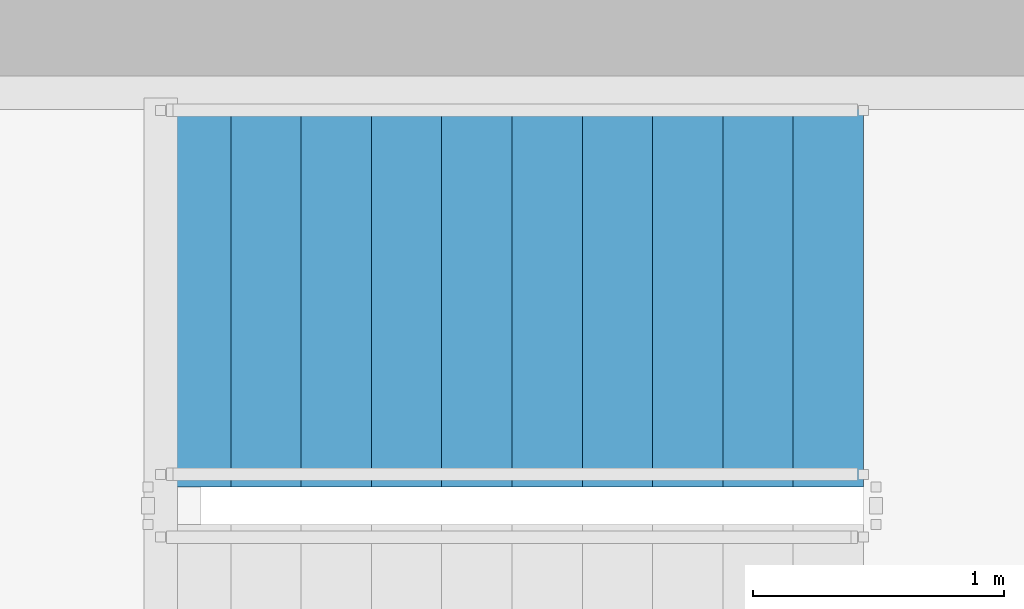
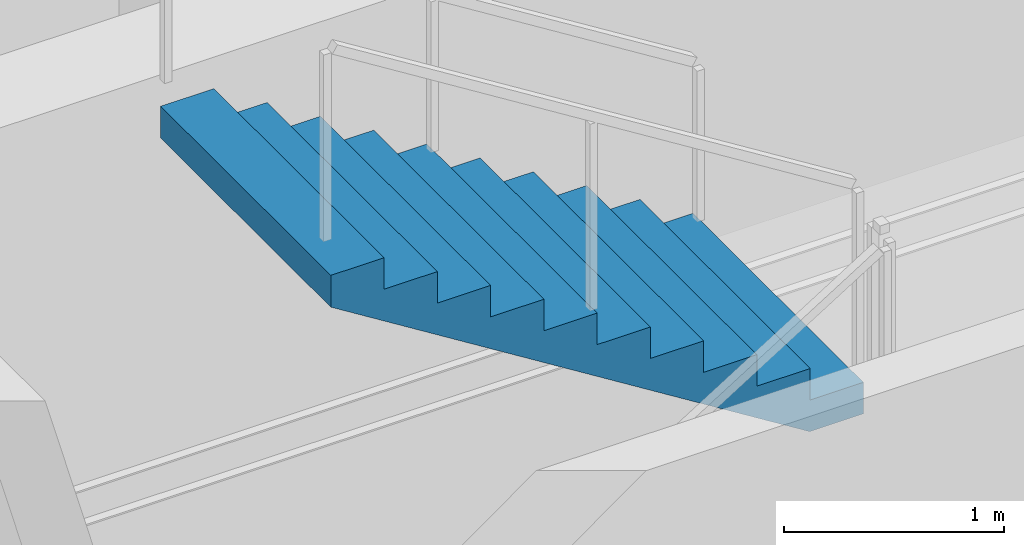
# One storey, part 24 of 31: 1 stair flight, 1 element without a shape of its own.
"""IFC4 building model written with IfcOpenShell, lengths in metres."""

from ifc_helpers import new_model, si_unit, direction, frame, origin, place, context, subcontext, project, spatial, polyline, outline, extrude, material, type_object, element, aggregate, save


model = new_model("IFC4")

# Units and contexts
model_context = context("Model", 3, precision=1e-05, world=origin(), true_north=direction((0.0, 1.0)))
body_context = subcontext(model_context, "Body", "Model", "MODEL_VIEW")
ifc_project = project(units=[si_unit("LENGTHUNIT", "METRE"), si_unit("AREAUNIT", "SQUARE_METRE"), si_unit("VOLUMEUNIT", "CUBIC_METRE"), si_unit("PLANEANGLEUNIT", "RADIAN"), si_unit("MASSUNIT", "GRAM", prefix="KILO")], contexts=[model_context])

# Site, building, storey
site_placement = place(None, origin())
site = spatial("IfcSite", under=ifc_project, at=site_placement, CompositionType="ELEMENT")
building_placement = place(site_placement, origin())
building = spatial("IfcBuilding", under=site, at=building_placement, Name="Kazma Halo Residences", CompositionType="ELEMENT")
storey_placement = place(building_placement, frame((0.0, 0.0, 275.199951171875)))
storey = spatial("IfcBuildingStorey", under=building, at=storey_placement, Name="L69", CompositionType="ELEMENT", Elevation=275.199951171875)

# Stair, stair flight
ifc_material = material(Name="Concrete C50/60", Category="concrete")
stair_type = type_object("IfcStairType", Name="STR-RES2", PredefinedType="HALF_TURN_STAIR", material=ifc_material)
stair_placement = place(storey_placement, origin())
stair = element("IfcStair", 1, at=stair_placement, inside=storey, type_object=stair_type, Name="L69 Core exit stair ST-02", PredefinedType="HALF_TURN_STAIR")
stair_flight_type = type_object("IfcStairFlightType", Name="STR-RES2-FLT", PredefinedType="STRAIGHT", material=ifc_material)
stair_flight_placement = place(storey_placement, frame((56.0, 49.22509765625, 1.925048828125), z_axis=(0.0, 0.0, 1.0), x_axis=(-1.0, 0.0, 0.0)))
stair_flight = element("IfcStairFlight", 2, at=stair_flight_placement, type_object=stair_flight_type, Name="ST-02 flight 2", NumberOfRisers=11, NumberOfTreads=10, PredefinedType="STRAIGHT", RiserHeight=0.175, TreadLength=0.28, context=body_context, shape_type="SweptSolid", body=[
    extrude(outline(polyline([(0.0, 0.0), (0.0, 0.175048828125), (0.280029296875, 0.175048828125), (0.280029296875, 0.35009765625), (0.56005859375, 0.35009765625), (0.56005859375, 0.52490234375), (0.840087890625, 0.52490234375), (0.840087890625, 0.699951171875), (1.1201171875, 0.699951171875), (1.1201171875, 0.875), (1.39990234375, 0.875), (1.39990234375, 1.050048828125), (1.679931640625, 1.050048828125), (1.679931640625, 1.22509765625), (1.9599609375, 1.22509765625), (1.9599609375, 1.39990234375), (2.239990234375, 1.39990234375), (2.239990234375, 1.574951171875), (2.52001953125, 1.574951171875), (2.52001953125, 1.75), (2.800048828125, 1.75), (2.800048828125, 1.925048828125), (2.800048828125, 1.5732421875), (0.28271484375, 0.0), (0.0, 0.0)])), frame((0.0, 0.77490234375, 0.0), z_axis=(0.0, -1.0, 0.0), x_axis=(1.0, 0.0, 0.0)), (0.0, 0.0, 1.0), 1.550048828125),
])
aggregate(stair, [stair_flight])

save(model, "model.ifc")
